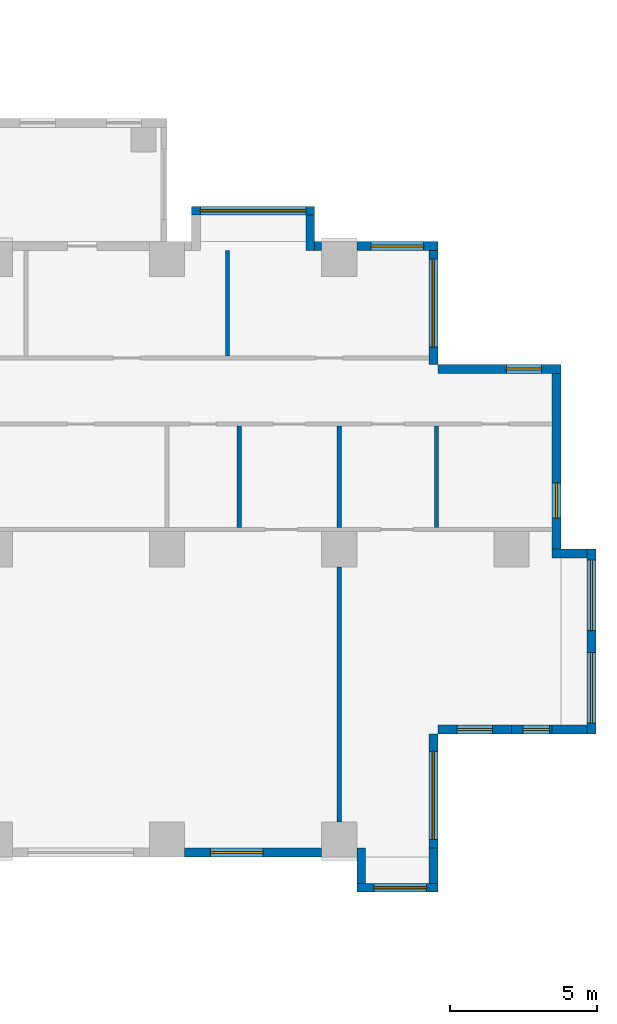
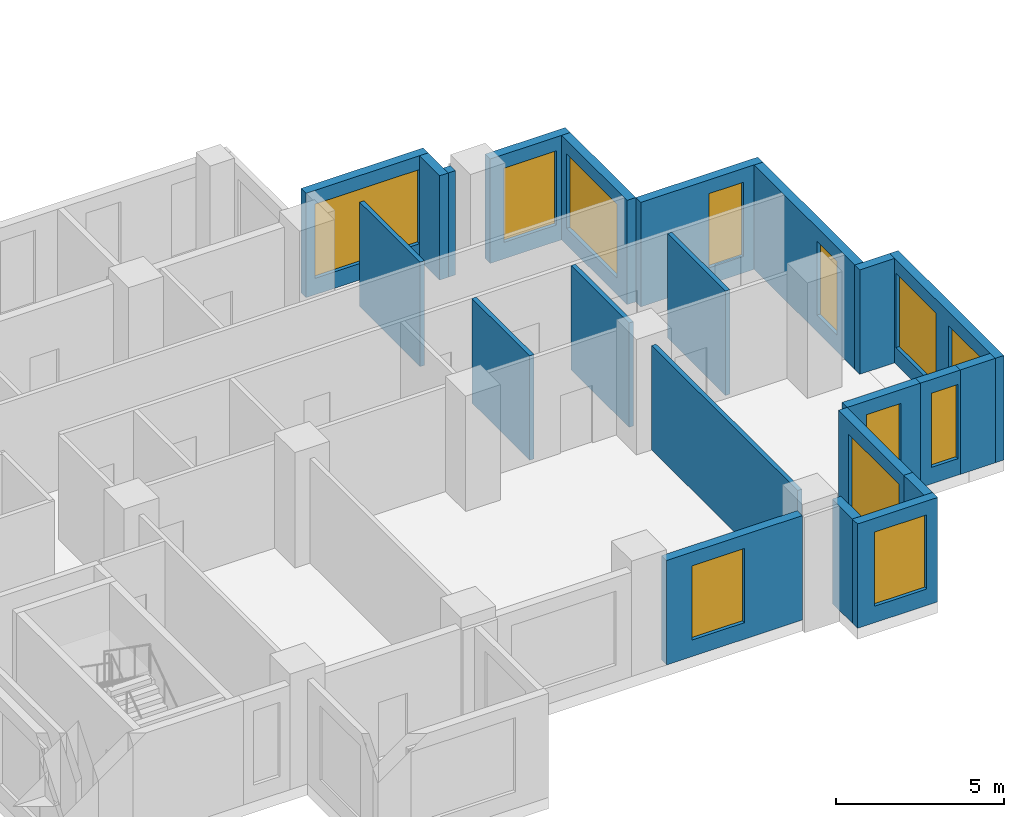
# One storey, part 9 of 14: 22 walls, 12 windows, 12 openings.
"""IFC4 building model written with IfcOpenShell, lengths in metres."""

from ifc_helpers import new_model, si_unit, direction, frame, frame_2d, origin, place, context, subcontext, project, spatial, rectangle, extrude, source, transform, mapped, material, layer, layer_set, type_object, element, fill, save


model = new_model("IFC4")

# Units and contexts
model_context = context("Model", 3, precision=1e-05, world=origin(), true_north=direction((0.0, 1.0)))
body_context = subcontext(model_context, "Body", "Model", "MODEL_VIEW")
ifc_project = project(units=[si_unit("LENGTHUNIT", "METRE"), si_unit("AREAUNIT", "SQUARE_METRE"), si_unit("VOLUMEUNIT", "CUBIC_METRE"), si_unit("PLANEANGLEUNIT", "RADIAN"), si_unit("MASSUNIT", "GRAM", prefix="KILO")], contexts=[model_context])

# Site, building, storey
site_placement = place(None, origin())
site = spatial("IfcSite", under=ifc_project, at=site_placement, CompositionType="ELEMENT")
building_placement = place(site_placement, origin())
building = spatial("IfcBuilding", under=site, at=building_placement, Name="Aurelian Terraces", CompositionType="ELEMENT")
storey_placement = place(building_placement, frame((0.0, 0.0, 57.3)))
storey = spatial("IfcBuildingStorey", under=building, at=storey_placement, Name="L11", CompositionType="ELEMENT", Elevation=57.3)

# Wall, opening, window
ifc_material_1 = material(Name="Terracotta rainscreen cladding", Category="masonry")
ifc_layer_1 = layer(ifc_material_1, 0.3)
ifc_layer_set_1 = layer_set([ifc_layer_1], Name="EW-300")
wall_type_1 = type_object("IfcWallType", Name="EW-300", PredefinedType="STANDARD", material=ifc_layer_set_1)
shared_shape_1 = source(origin(), body_context, "Body", "SweptSolid", [
    extrude(rectangle(XDim=4.68, YDim=0.3, at=frame_2d((2.34, 0.0))), origin(), (0.0, 0.0, 1.0), 3.8),
])
wall_1_placement = place(storey_placement, frame((58.56, 0.15, 0.0), z_axis=(0.0, 0.0, 1.0), x_axis=(1.0, 0.0, 0.0)))
wall_1 = element("IfcWall", 1, at=wall_1_placement, inside=storey, type_object=wall_type_1, Name="External wall L11 F05.12", PredefinedType="STANDARD", context=body_context, shape_type="MappedRepresentation", body=[
    mapped(shared_shape_1, transform((0.0, 0.0, 0.0), scale=1.0)),
])
shared_shape_2 = source(origin(), body_context, "Body", "SweptSolid", [
    extrude(rectangle(XDim=1.8, YDim=2.7, at=frame_2d((0.9, 1.35))), frame((0.0, 0.16, 0.0), z_axis=(0.0, -1.0, 0.0), x_axis=(1.0, 0.0, 0.0)), (0.0, 0.0, 1.0), 0.32),
])
opening_1_placement = place(wall_1_placement, frame((0.8775, 0.0, 0.6)))
opening_1 = element("IfcOpeningElement", 2, at=opening_1_placement, cuts=wall_1, Name="Opening W1827", PredefinedType="OPENING", context=body_context, shape_type="MappedRepresentation", body=[
    mapped(shared_shape_2, transform((0.0, 0.0, 0.0), scale=1.0)),
])
ifc_material_2 = material(Name="Clear glazing", Category="glass")
window_type_1 = type_object("IfcWindowType", Name="W-1800x2700", PartitioningType="SINGLE_PANEL", PredefinedType="WINDOW", material=ifc_material_2)
shared_shape_3 = source(origin(), body_context, "Body", "SweptSolid", [
    extrude(rectangle(XDim=1.8, YDim=2.7, at=frame_2d((0.9, 1.35))), frame((0.0, 0.03, 0.0), z_axis=(0.0, -1.0, 0.0), x_axis=(1.0, 0.0, 0.0)), (0.0, 0.0, 1.0), 0.06),
])
window_1_placement = place(opening_1_placement, origin())
window_1 = element("IfcWindow", 3, at=window_1_placement, inside=storey, type_object=window_type_1, Name="Window L11 L11-F05-12-0", OverallHeight=2.7, OverallWidth=1.8, PartitioningType="SINGLE_PANEL", PredefinedType="WINDOW", context=body_context, shape_type="MappedRepresentation", body=[
    mapped(shared_shape_3, transform((0.0, 0.0, 0.0), scale=1.0)),
])
fill(opening_1, window_1)

shared_shape_4 = source(origin(), body_context, "Body", "SweptSolid", [
    extrude(rectangle(XDim=4.2, YDim=0.3, at=frame_2d((2.1, 0.0))), origin(), (0.0, 0.0, 1.0), 3.8),
])
wall_2_placement = place(storey_placement, frame((67.05, 0.0, 0.0), z_axis=(0.0, 0.0, 1.0), x_axis=(0.0, 1.0, 0.0)))
wall_2 = element("IfcWall", 4, at=wall_2_placement, inside=storey, type_object=wall_type_1, Name="External wall L11 F06.14", PredefinedType="STANDARD", context=body_context, shape_type="MappedRepresentation", body=[
    mapped(shared_shape_4, transform((0.0, 0.0, 0.0), scale=1.0)),
])
shared_shape_5 = source(origin(), body_context, "Body", "SweptSolid", [
    extrude(rectangle(XDim=3.0, YDim=2.7, at=frame_2d((1.5, 1.35))), frame((0.0, 0.16, 0.0), z_axis=(0.0, -1.0, 0.0), x_axis=(1.0, 0.0, 0.0)), (0.0, 0.0, 1.0), 0.32),
])
opening_2_placement = place(wall_2_placement, frame((0.6, 0.0, 0.6)))
opening_2 = element("IfcOpeningElement", 5, at=opening_2_placement, cuts=wall_2, Name="Opening W3027", PredefinedType="OPENING", context=body_context, shape_type="MappedRepresentation", body=[
    mapped(shared_shape_5, transform((0.0, 0.0, 0.0), scale=1.0)),
])
window_type_2 = type_object("IfcWindowType", Name="W-3000x2700", PartitioningType="SINGLE_PANEL", PredefinedType="WINDOW", material=ifc_material_2)
shared_shape_6 = source(origin(), body_context, "Body", "SweptSolid", [
    extrude(rectangle(XDim=3.0, YDim=2.7, at=frame_2d((1.5, 1.35))), frame((0.0, 0.03, 0.0), z_axis=(0.0, -1.0, 0.0), x_axis=(1.0, 0.0, 0.0)), (0.0, 0.0, 1.0), 0.06),
])
window_2_placement = place(opening_2_placement, origin())
window_2 = element("IfcWindow", 6, at=window_2_placement, inside=storey, type_object=window_type_2, Name="Window L11 L11-F06-14-0", OverallHeight=2.7, OverallWidth=3.0, PartitioningType="SINGLE_PANEL", PredefinedType="WINDOW", context=body_context, shape_type="MappedRepresentation", body=[
    mapped(shared_shape_6, transform((0.0, 0.0, 0.0), scale=1.0)),
])
fill(opening_2, window_2)

wall_3_placement = place(storey_placement, frame((71.4, 16.65, 0.0), z_axis=(0.0, 0.0, 1.0), x_axis=(-1.0, 0.0, 0.0)))
wall_3 = element("IfcWall", 7, at=wall_3_placement, inside=storey, type_object=wall_type_1, Name="External wall L11 F09.19", PredefinedType="STANDARD", context=body_context, shape_type="MappedRepresentation", body=[
    mapped(shared_shape_4, transform((0.0, 0.0, 0.0), scale=1.0)),
])
shared_shape_7 = source(origin(), body_context, "Body", "SweptSolid", [
    extrude(rectangle(XDim=1.2, YDim=2.7, at=frame_2d((0.6, 1.35))), frame((0.0, 0.16, 0.0), z_axis=(0.0, -1.0, 0.0), x_axis=(1.0, 0.0, 0.0)), (0.0, 0.0, 1.0), 0.32),
])
opening_3_placement = place(wall_3_placement, frame((0.66, 0.0, 0.6)))
opening_3 = element("IfcOpeningElement", 8, at=opening_3_placement, cuts=wall_3, Name="Opening W1227", PredefinedType="OPENING", context=body_context, shape_type="MappedRepresentation", body=[
    mapped(shared_shape_7, transform((0.0, 0.0, 0.0), scale=1.0)),
])
window_type_3 = type_object("IfcWindowType", Name="W-1200x2700", PartitioningType="SINGLE_PANEL", PredefinedType="WINDOW", material=ifc_material_2)
shared_shape_8 = source(origin(), body_context, "Body", "SweptSolid", [
    extrude(rectangle(XDim=1.2, YDim=2.7, at=frame_2d((0.6, 1.35))), frame((0.0, 0.03, 0.0), z_axis=(0.0, -1.0, 0.0), x_axis=(1.0, 0.0, 0.0)), (0.0, 0.0, 1.0), 0.06),
])
window_3_placement = place(opening_3_placement, origin())
window_3 = element("IfcWindow", 9, at=window_3_placement, inside=storey, type_object=window_type_3, Name="Window L11 L11-F09-19-0", OverallHeight=2.7, OverallWidth=1.2, PartitioningType="SINGLE_PANEL", PredefinedType="WINDOW", context=body_context, shape_type="MappedRepresentation", body=[
    mapped(shared_shape_8, transform((0.0, 0.0, 0.0), scale=1.0)),
])
fill(opening_3, window_3)

wall_4_placement = place(storey_placement, frame((67.05, 16.8, 0.0), z_axis=(0.0, 0.0, 1.0), x_axis=(0.0, 1.0, 0.0)))
wall_4 = element("IfcWall", 10, at=wall_4_placement, inside=storey, type_object=wall_type_1, Name="External wall L11 F10.20", PredefinedType="STANDARD", context=body_context, shape_type="MappedRepresentation", body=[
    mapped(shared_shape_4, transform((0.0, 0.0, 0.0), scale=1.0)),
])
opening_4_placement = place(wall_4_placement, frame((0.6, 0.0, 0.6)))
opening_4 = element("IfcOpeningElement", 11, at=opening_4_placement, cuts=wall_4, Name="Opening W3027", PredefinedType="OPENING", context=body_context, shape_type="MappedRepresentation", body=[
    mapped(shared_shape_5, transform((0.0, 0.0, 0.0), scale=1.0)),
])
window_4_placement = place(opening_4_placement, origin())
window_4 = element("IfcWindow", 12, at=window_4_placement, inside=storey, type_object=window_type_2, Name="Window L11 L11-F10-20-0", OverallHeight=2.7, OverallWidth=3.0, PartitioningType="SINGLE_PANEL", PredefinedType="WINDOW", context=body_context, shape_type="MappedRepresentation", body=[
    mapped(shared_shape_6, transform((0.0, 0.0, 0.0), scale=1.0)),
])
fill(opening_4, window_4)

wall_5_placement = place(storey_placement, frame((63.0, 22.05, 0.0), z_axis=(0.0, 0.0, 1.0), x_axis=(-1.0, 0.0, 0.0)))
wall_5 = element("IfcWall", 13, at=wall_5_placement, inside=storey, type_object=wall_type_1, Name="Bay wall L11 F11.22", PredefinedType="STANDARD", context=body_context, shape_type="MappedRepresentation", body=[
    mapped(shared_shape_4, transform((0.0, 0.0, 0.0), scale=1.0)),
])
shared_shape_9 = source(origin(), body_context, "Body", "SweptSolid", [
    extrude(rectangle(XDim=3.6, YDim=2.7, at=frame_2d((1.8, 1.35))), frame((0.0, 0.16, 0.0), z_axis=(0.0, -1.0, 0.0), x_axis=(1.0, 0.0, 0.0)), (0.0, 0.0, 1.0), 0.32),
])
opening_5_placement = place(wall_5_placement, frame((0.3, 0.0, 0.6)))
opening_5 = element("IfcOpeningElement", 14, at=opening_5_placement, cuts=wall_5, Name="Opening W3627", PredefinedType="OPENING", context=body_context, shape_type="MappedRepresentation", body=[
    mapped(shared_shape_9, transform((0.0, 0.0, 0.0), scale=1.0)),
])
window_type_4 = type_object("IfcWindowType", Name="W-3600x2700", PartitioningType="SINGLE_PANEL", PredefinedType="WINDOW", material=ifc_material_2)
shared_shape_10 = source(origin(), body_context, "Body", "SweptSolid", [
    extrude(rectangle(XDim=3.6, YDim=2.7, at=frame_2d((1.8, 1.35))), frame((0.0, 0.03, 0.0), z_axis=(0.0, -1.0, 0.0), x_axis=(1.0, 0.0, 0.0)), (0.0, 0.0, 1.0), 0.06),
])
window_5_placement = place(opening_5_placement, origin())
window_5 = element("IfcWindow", 15, at=window_5_placement, inside=storey, type_object=window_type_4, Name="Window L11 L11-F11-22-0", OverallHeight=2.7, OverallWidth=3.6, PartitioningType="SINGLE_PANEL", PredefinedType="WINDOW", context=body_context, shape_type="MappedRepresentation", body=[
    mapped(shared_shape_10, transform((0.0, 0.0, 0.0), scale=1.0)),
])
fill(opening_5, window_5)

shared_shape_11 = source(origin(), body_context, "Body", "SweptSolid", [
    extrude(rectangle(XDim=2.76, YDim=0.3, at=frame_2d((1.38, 0.0))), origin(), (0.0, 0.0, 1.0), 3.8),
])
wall_6_placement = place(storey_placement, frame((64.44, -1.05, 0.0), z_axis=(0.0, 0.0, 1.0), x_axis=(1.0, 0.0, 0.0)))
wall_6 = element("IfcWall", 16, at=wall_6_placement, inside=storey, type_object=wall_type_1, Name="Bay wall L11 F05.13", PredefinedType="STANDARD", context=body_context, shape_type="MappedRepresentation", body=[
    mapped(shared_shape_11, transform((0.0, 0.0, 0.0), scale=1.0)),
])
opening_6_placement = place(wall_6_placement, frame((0.58, 0.0, 0.6)))
opening_6 = element("IfcOpeningElement", 17, at=opening_6_placement, cuts=wall_6, Name="Opening W1827", PredefinedType="OPENING", context=body_context, shape_type="MappedRepresentation", body=[
    mapped(shared_shape_2, transform((0.0, 0.0, 0.0), scale=1.0)),
])
window_6_placement = place(opening_6_placement, origin())
window_6 = element("IfcWindow", 18, at=window_6_placement, inside=storey, type_object=window_type_1, Name="Window L11 L11-F05-13-0", OverallHeight=2.7, OverallWidth=1.8, PartitioningType="SINGLE_PANEL", PredefinedType="WINDOW", context=body_context, shape_type="MappedRepresentation", body=[
    mapped(shared_shape_3, transform((0.0, 0.0, 0.0), scale=1.0)),
])
fill(opening_6, window_6)

wall_7_placement = place(storey_placement, frame((67.2, 20.85, 0.0), z_axis=(0.0, 0.0, 1.0), x_axis=(-1.0, 0.0, 0.0)))
wall_7 = element("IfcWall", 19, at=wall_7_placement, inside=storey, type_object=wall_type_1, Name="External wall L11 F11.21", PredefinedType="STANDARD", context=body_context, shape_type="MappedRepresentation", body=[
    mapped(shared_shape_11, transform((0.0, 0.0, 0.0), scale=1.0)),
])
opening_7_placement = place(wall_7_placement, frame((0.48, 0.0, 0.6)))
opening_7 = element("IfcOpeningElement", 20, at=opening_7_placement, cuts=wall_7, Name="Opening W1827", PredefinedType="OPENING", context=body_context, shape_type="MappedRepresentation", body=[
    mapped(shared_shape_2, transform((0.0, 0.0, 0.0), scale=1.0)),
])
window_7_placement = place(opening_7_placement, origin())
window_7 = element("IfcWindow", 21, at=window_7_placement, inside=storey, type_object=window_type_1, Name="Window L11 L11-F11-21-P0", OverallHeight=2.7, OverallWidth=1.8, PartitioningType="SINGLE_PANEL", PredefinedType="WINDOW", context=body_context, shape_type="MappedRepresentation", body=[
    mapped(shared_shape_3, transform((0.0, 0.0, 0.0), scale=1.0)),
])
fill(opening_7, window_7)

# Walls
shared_shape_12 = source(origin(), body_context, "Body", "SweptSolid", [
    extrude(rectangle(XDim=1.2, YDim=0.3, at=frame_2d((0.6, 0.0))), origin(), (0.0, 0.0, 1.0), 3.8),
])
for number, where, z_axis, x_axis, name in (
    (22, (64.59, 0.3, 0.0), (0.0, 0.0, 1.0), (0.0, -1.0, 0.0), "Bay return L11 F05.13.1"),
    (23, (67.05, 0.3, 0.0), (0.0, 0.0, 1.0), (0.0, -1.0, 0.0), "Bay return L11 F05.13.2"),
    (24, (71.1, 4.35, 0.0), (0.0, 0.0, 1.0), (1.0, 0.0, 0.0), "Bay return L11 F08.17.1"),
    (25, (71.1, 10.35, 0.0), (0.0, 0.0, 1.0), (1.0, 0.0, 0.0), "Bay return L11 F08.17.2"),
    (26, (62.85, 20.7, 0.0), (0.0, 0.0, 1.0), (0.0, 1.0, 0.0), "Bay return L11 F11.22.1"),
):
    element("IfcWall", number, at=place(storey_placement, frame(where, z_axis=z_axis, x_axis=x_axis)), inside=storey, type_object=wall_type_1, Name=name, PredefinedType="STANDARD", context=body_context, shape_type="MappedRepresentation", body=[
        mapped(shared_shape_12, transform((0.0, 0.0, 0.0), scale=1.0)),
    ])
shared_shape_13 = source(origin(), body_context, "Body", "SweptSolid", [
    extrude(rectangle(XDim=0.24, YDim=0.3, at=frame_2d((0.12, 0.0))), origin(), (0.0, 0.0, 1.0), 3.8),
])
wall_8_placement = place(storey_placement, frame((63.24, 20.85, 0.0), z_axis=(0.0, 0.0, 1.0), x_axis=(-1.0, 0.0, 0.0)))
element("IfcWall", 27, at=wall_8_placement, inside=storey, type_object=wall_type_1, Name="External wall L11 F11.21", PredefinedType="STANDARD", context=body_context, shape_type="MappedRepresentation", body=[
    mapped(shared_shape_13, transform((0.0, 0.0, 0.0), scale=1.0)),
])

# Wall, opening, window
shared_shape_14 = source(origin(), body_context, "Body", "SweptSolid", [
    extrude(rectangle(XDim=2.52, YDim=0.3, at=frame_2d((1.26, 0.0))), origin(), (0.0, 0.0, 1.0), 3.8),
])
wall_9_placement = place(storey_placement, frame((67.2, 4.35, 0.0), z_axis=(0.0, 0.0, 1.0), x_axis=(1.0, 0.0, 0.0)))
wall_9 = element("IfcWall", 28, at=wall_9_placement, inside=storey, type_object=wall_type_1, Name="External wall L11 F07.15", PredefinedType="STANDARD", context=body_context, shape_type="MappedRepresentation", body=[
    mapped(shared_shape_14, transform((0.0, 0.0, 0.0), scale=1.0)),
])
opening_8_placement = place(wall_9_placement, frame((0.66, 0.0, 0.6)))
opening_8 = element("IfcOpeningElement", 29, at=opening_8_placement, cuts=wall_9, Name="Opening W1227", PredefinedType="OPENING", context=body_context, shape_type="MappedRepresentation", body=[
    mapped(shared_shape_7, transform((0.0, 0.0, 0.0), scale=1.0)),
])
window_8_placement = place(opening_8_placement, origin())
window_8 = element("IfcWindow", 30, at=window_8_placement, inside=storey, type_object=window_type_3, Name="Window L11 L11-F07-15-0", OverallHeight=2.7, OverallWidth=1.2, PartitioningType="SINGLE_PANEL", PredefinedType="WINDOW", context=body_context, shape_type="MappedRepresentation", body=[
    mapped(shared_shape_8, transform((0.0, 0.0, 0.0), scale=1.0)),
])
fill(opening_8, window_8)

shared_shape_15 = source(origin(), body_context, "Body", "SweptSolid", [
    extrude(rectangle(XDim=1.68, YDim=0.3, at=frame_2d((0.84, 0.0))), origin(), (0.0, 0.0, 1.0), 3.8),
])
wall_10_placement = place(storey_placement, frame((69.72, 4.35, 0.0), z_axis=(0.0, 0.0, 1.0), x_axis=(1.0, 0.0, 0.0)))
wall_10 = element("IfcWall", 31, at=wall_10_placement, inside=storey, type_object=wall_type_1, Name="External wall L11 F07.16", PredefinedType="STANDARD", context=body_context, shape_type="MappedRepresentation", body=[
    mapped(shared_shape_15, transform((0.0, 0.0, 0.0), scale=1.0)),
])
shared_shape_16 = source(origin(), body_context, "Body", "SweptSolid", [
    extrude(rectangle(XDim=0.9, YDim=2.7, at=frame_2d((0.45, 1.35))), frame((0.0, 0.16, 0.0), z_axis=(0.0, -1.0, 0.0), x_axis=(1.0, 0.0, 0.0)), (0.0, 0.0, 1.0), 0.32),
])
opening_9_placement = place(wall_10_placement, frame((0.39, 0.0, 0.6)))
opening_9 = element("IfcOpeningElement", 32, at=opening_9_placement, cuts=wall_10, Name="Opening W0927", PredefinedType="OPENING", context=body_context, shape_type="MappedRepresentation", body=[
    mapped(shared_shape_16, transform((0.0, 0.0, 0.0), scale=1.0)),
])
window_type_5 = type_object("IfcWindowType", Name="W-900x2700", PartitioningType="SINGLE_PANEL", PredefinedType="WINDOW", material=ifc_material_2)
shared_shape_17 = source(origin(), body_context, "Body", "SweptSolid", [
    extrude(rectangle(XDim=0.9, YDim=2.7, at=frame_2d((0.45, 1.35))), frame((0.0, 0.03, 0.0), z_axis=(0.0, -1.0, 0.0), x_axis=(1.0, 0.0, 0.0)), (0.0, 0.0, 1.0), 0.06),
])
window_9_placement = place(opening_9_placement, origin())
window_9 = element("IfcWindow", 33, at=window_9_placement, inside=storey, type_object=window_type_5, Name="Window L11 L11-F07-16-P0", OverallHeight=2.7, OverallWidth=0.9, PartitioningType="SINGLE_PANEL", PredefinedType="WINDOW", context=body_context, shape_type="MappedRepresentation", body=[
    mapped(shared_shape_17, transform((0.0, 0.0, 0.0), scale=1.0)),
])
fill(opening_9, window_9)

# Wall, openings, windows
shared_shape_18 = source(origin(), body_context, "Body", "SweptSolid", [
    extrude(rectangle(XDim=6.3, YDim=0.3, at=frame_2d((3.15, 0.0))), origin(), (0.0, 0.0, 1.0), 3.8),
])
wall_11_placement = place(storey_placement, frame((72.45, 4.2, 0.0), z_axis=(0.0, 0.0, 1.0), x_axis=(0.0, 1.0, 0.0)))
wall_11 = element("IfcWall", 34, at=wall_11_placement, inside=storey, type_object=wall_type_1, Name="Bay wall L11 F08.17", PredefinedType="STANDARD", context=body_context, shape_type="MappedRepresentation", body=[
    mapped(shared_shape_18, transform((0.0, 0.0, 0.0), scale=1.0)),
])
shared_shape_19 = source(origin(), body_context, "Body", "SweptSolid", [
    extrude(rectangle(XDim=2.4, YDim=2.7, at=frame_2d((1.2, 1.35))), frame((0.0, 0.16, 0.0), z_axis=(0.0, -1.0, 0.0), x_axis=(1.0, 0.0, 0.0)), (0.0, 0.0, 1.0), 0.32),
])
opening_10_placement = place(wall_11_placement, frame((0.375, 0.0, 0.6)))
opening_10 = element("IfcOpeningElement", 35, at=opening_10_placement, cuts=wall_11, Name="Opening W2427", PredefinedType="OPENING", context=body_context, shape_type="MappedRepresentation", body=[
    mapped(shared_shape_19, transform((0.0, 0.0, 0.0), scale=1.0)),
])
opening_11_placement = place(wall_11_placement, frame((3.525, 0.0, 0.6)))
opening_11 = element("IfcOpeningElement", 36, at=opening_11_placement, cuts=wall_11, Name="Opening W2427", PredefinedType="OPENING", context=body_context, shape_type="MappedRepresentation", body=[
    mapped(shared_shape_19, transform((0.0, 0.0, 0.0), scale=1.0)),
])
window_type_6 = type_object("IfcWindowType", Name="W-2400x2700", PartitioningType="SINGLE_PANEL", PredefinedType="WINDOW", material=ifc_material_2)
shared_shape_20 = source(origin(), body_context, "Body", "SweptSolid", [
    extrude(rectangle(XDim=2.4, YDim=2.7, at=frame_2d((1.2, 1.35))), frame((0.0, 0.03, 0.0), z_axis=(0.0, -1.0, 0.0), x_axis=(1.0, 0.0, 0.0)), (0.0, 0.0, 1.0), 0.06),
])
window_10_placement = place(opening_10_placement, origin())
window_10 = element("IfcWindow", 37, at=window_10_placement, inside=storey, type_object=window_type_6, Name="Window L11 L11-F08-17-0", OverallHeight=2.7, OverallWidth=2.4, PartitioningType="SINGLE_PANEL", PredefinedType="WINDOW", context=body_context, shape_type="MappedRepresentation", body=[
    mapped(shared_shape_20, transform((0.0, 0.0, 0.0), scale=1.0)),
])
fill(opening_10, window_10)
window_11_placement = place(opening_11_placement, origin())
window_11 = element("IfcWindow", 38, at=window_11_placement, inside=storey, type_object=window_type_6, Name="Window L11 L11-F08-17-1", OverallHeight=2.7, OverallWidth=2.4, PartitioningType="SINGLE_PANEL", PredefinedType="WINDOW", context=body_context, shape_type="MappedRepresentation", body=[
    mapped(shared_shape_20, transform((0.0, 0.0, 0.0), scale=1.0)),
])
fill(opening_11, window_11)

# Wall, opening, window
wall_12_placement = place(storey_placement, frame((71.25, 10.5, 0.0), z_axis=(0.0, 0.0, 1.0), x_axis=(0.0, 1.0, 0.0)))
wall_12 = element("IfcWall", 39, at=wall_12_placement, inside=storey, type_object=wall_type_1, Name="External wall L11 F08.18", PredefinedType="STANDARD", context=body_context, shape_type="MappedRepresentation", body=[
    mapped(shared_shape_18, transform((0.0, 0.0, 0.0), scale=1.0)),
])
opening_12_placement = place(wall_12_placement, frame((1.0625, 0.0, 0.6)))
opening_12 = element("IfcOpeningElement", 40, at=opening_12_placement, cuts=wall_12, Name="Opening W1227", PredefinedType="OPENING", context=body_context, shape_type="MappedRepresentation", body=[
    mapped(shared_shape_7, transform((0.0, 0.0, 0.0), scale=1.0)),
])
window_12_placement = place(opening_12_placement, origin())
window_12 = element("IfcWindow", 41, at=window_12_placement, inside=storey, type_object=window_type_3, Name="Window L11 L11-F08-18-0", OverallHeight=2.7, OverallWidth=1.2, PartitioningType="SINGLE_PANEL", PredefinedType="WINDOW", context=body_context, shape_type="MappedRepresentation", body=[
    mapped(shared_shape_8, transform((0.0, 0.0, 0.0), scale=1.0)),
])
fill(opening_12, window_12)

# Walls
ifc_material_3 = material(Name="Gypsum board on steel studs", Category="steel")
ifc_layer_2 = layer(ifc_material_3, 0.15)
ifc_layer_set_2 = layer_set([ifc_layer_2], Name="Partition 150")
wall_type_2 = type_object("IfcWallType", Name="Partition 150", PredefinedType="PARTITIONING", material=ifc_layer_set_2)
shared_shape_21 = source(origin(), body_context, "Body", "SweptSolid", [
    extrude(rectangle(XDim=8.702, YDim=0.15, at=frame_2d((4.351, 0.0))), origin(), (0.0, 0.0, 1.0), 3.8),
])
wall_13_placement = place(storey_placement, frame((63.84, 1.199, 0.0), z_axis=(0.0, 0.0, 1.0), x_axis=(0.0, 1.0, 0.0)))
element("IfcWall", 42, at=wall_13_placement, inside=storey, type_object=wall_type_2, Name="Partition", PredefinedType="PARTITIONING", context=body_context, shape_type="MappedRepresentation", body=[
    mapped(shared_shape_21, transform((0.0, 0.0, 0.0), scale=1.0)),
])
shared_shape_22 = source(origin(), body_context, "Body", "SweptSolid", [
    extrude(rectangle(XDim=3.6, YDim=0.15, at=frame_2d((1.8, 0.0))), origin(), (0.0, 0.0, 1.0), 3.8),
])
wall_14_placement = place(storey_placement, frame((60.025, 20.7, 0.0), z_axis=(0.0, 0.0, 1.0), x_axis=(0.0, -1.0, 0.0)))
element("IfcWall", 43, at=wall_14_placement, inside=storey, type_object=wall_type_2, Name="Partition", PredefinedType="PARTITIONING", context=body_context, shape_type="MappedRepresentation", body=[
    mapped(shared_shape_22, transform((0.0, 0.0, 0.0), scale=1.0)),
])
shared_shape_23 = source(origin(), body_context, "Body", "SweptSolid", [
    extrude(rectangle(XDim=3.45, YDim=0.15, at=frame_2d((1.725, 0.0))), origin(), (0.0, 0.0, 1.0), 3.8),
])
for number, where, z_axis, x_axis, name in (
    (44, (60.4196, 11.25, 0.0), (0.0, 0.0, 1.0), (0.0, 1.0, 0.0), "Partition"),
    (45, (67.1584, 11.25, 0.0), (0.0, 0.0, 1.0), (0.0, 1.0, 0.0), "Partition"),
    (46, (63.84, 11.25, 0.0), (0.0, 0.0, 1.0), (0.0, 1.0, 0.0), "Partition"),
):
    element("IfcWall", number, at=place(storey_placement, frame(where, z_axis=z_axis, x_axis=x_axis)), inside=storey, type_object=wall_type_2, Name=name, PredefinedType="PARTITIONING", context=body_context, shape_type="MappedRepresentation", body=[
        mapped(shared_shape_23, transform((0.0, 0.0, 0.0), scale=1.0)),
    ])

save(model, "model.ifc")
